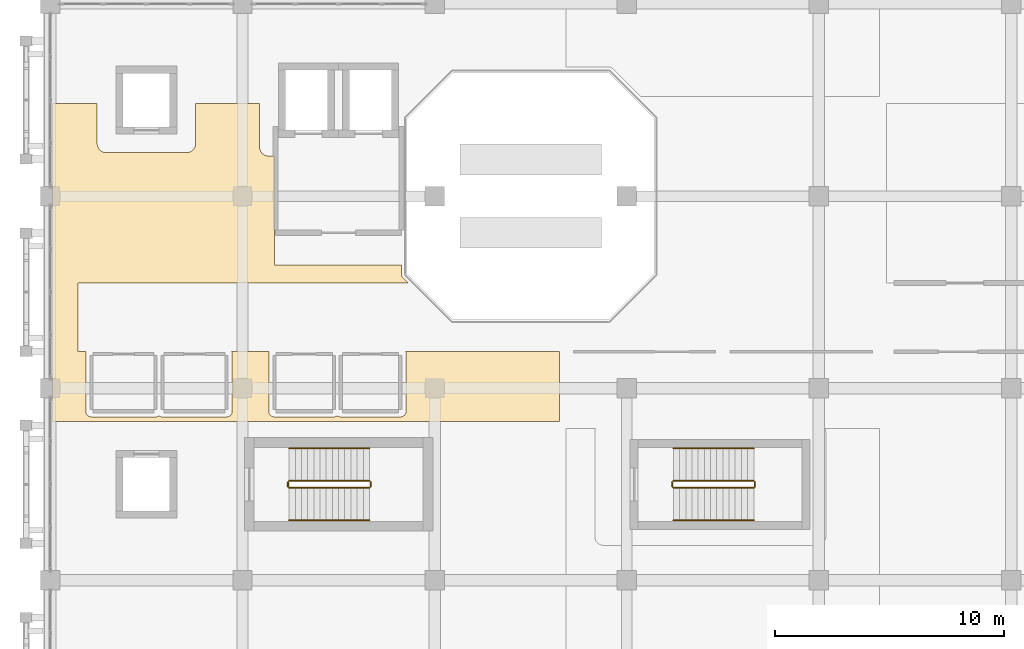
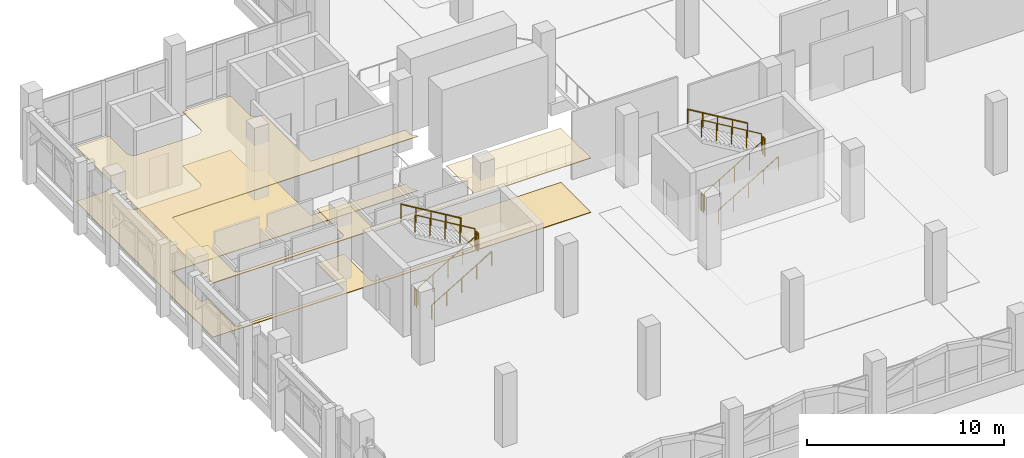
# One storey, part 121 of 129: 12 railings, 2 coverings.
"""IFC4 building model written with IfcOpenShell, lengths in metres."""

from ifc_helpers import new_model, si_unit, direction, frame, origin, origin_2d, place, context, subcontext, project, spatial, polyline, circle, outline, extrude, material, layer, layer_set, type_object, element, save


model = new_model("IFC4")

# Units and contexts
model_context = context("Model", 3, precision=1e-05, world=origin(), true_north=direction((0.0, 1.0)))
body_context = subcontext(model_context, "Body", "Model", "MODEL_VIEW")
ifc_project = project(units=[si_unit("LENGTHUNIT", "METRE"), si_unit("AREAUNIT", "SQUARE_METRE"), si_unit("VOLUMEUNIT", "CUBIC_METRE"), si_unit("PLANEANGLEUNIT", "RADIAN"), si_unit("MASSUNIT", "GRAM", prefix="KILO")], contexts=[model_context])

# Site, building, storey
site_placement = place(None, origin())
site = spatial("IfcSite", under=ifc_project, at=site_placement, CompositionType="ELEMENT")
building_placement = place(site_placement, origin())
building = spatial("IfcBuilding", under=site, at=building_placement, Name="Xazarin Passage Department Store", CompositionType="ELEMENT")
storey_placement = place(building_placement, frame((0.0, 0.0, 9.89990234375)))
storey = spatial("IfcBuildingStorey", under=building, at=storey_placement, Name="L02", CompositionType="ELEMENT", Elevation=9.89990234375)

# Coverings
ifc_material_1 = material(Name="Acoustic mineral ceiling")
ifc_layer_1 = layer(ifc_material_1, 0.0400390625)
ifc_layer_set_1 = layer_set([ifc_layer_1], Name="Acoustic mineral ceiling")
covering_type_1 = type_object("IfcCoveringType", Name="ARC-COV-CLG040", PredefinedType="CEILING", material=ifc_layer_set_1)
covering_1_placement = place(storey_placement, frame((0.0, 0.0, 3.360107421875)))
element("IfcCovering", 1, at=covering_1_placement, inside=storey, type_object=covering_type_1, Name="L02 Denim and Casualwear Hall Acoustic Ceiling", PredefinedType="CEILING", context=body_context, shape_type="SweptSolid", body=[
    extrude(outline(polyline([(6.35009765625, 97.25), (6.35009765625, 95.5), (6.34814453125, 95.460693359375), (6.34228515625, 95.422119140625), (6.332763671875, 95.3837890625), (6.319580078125, 95.346923828125), (6.302734375, 95.311279296875), (6.28271484375, 95.27783203125), (6.25927734375, 95.24609375), (6.23291015625, 95.21728515625), (6.203857421875, 95.19091796875), (6.172119140625, 95.16748046875), (6.138671875, 95.147216796875), (6.10302734375, 95.13037109375), (6.066162109375, 95.1171875), (6.028076171875, 95.107666015625), (5.9892578125, 95.101806640625), (5.949951171875, 95.10009765625), (2.449951171875, 95.10009765625), (2.410888671875, 95.101806640625), (2.3720703125, 95.107666015625), (2.333984375, 95.1171875), (2.296875, 95.13037109375), (2.261474609375, 95.147216796875), (2.227783203125, 95.16748046875), (2.1962890625, 95.19091796875), (2.167236328125, 95.21728515625), (2.140869140625, 95.24609375), (2.117431640625, 95.27783203125), (2.09716796875, 95.311279296875), (2.080322265625, 95.346923828125), (2.067138671875, 95.3837890625), (2.0576171875, 95.422119140625), (2.052001953125, 95.460693359375), (2.050048828125, 95.5), (2.050048828125, 97.25), (0.10009765625, 97.25), (0.10009765625, 83.35009765625), (22.25, 83.35009765625), (22.25, 86.39990234375), (15.52880859375, 86.39990234375), (15.531005859375, 86.395751953125), (15.539306640625, 86.37255859375), (15.545166015625, 86.348876953125), (15.548828125, 86.324462890625), (15.550048828125, 86.300048828125), (15.550048828125, 83.800048828125), (15.548828125, 83.775390625), (15.545166015625, 83.751220703125), (15.539306640625, 83.727294921875), (15.531005859375, 83.704345703125), (15.5205078125, 83.68212890625), (15.5078125, 83.6611328125), (15.493408203125, 83.641357421875), (15.476806640625, 83.623291015625), (15.45849609375, 83.606689453125), (15.43896484375, 83.592041015625), (15.417724609375, 83.57958984375), (15.395751953125, 83.569091796875), (15.37255859375, 83.560791015625), (15.348876953125, 83.5546875), (15.324462890625, 83.55126953125), (15.300048828125, 83.550048828125), (12.699951171875, 83.550048828125), (12.675537109375, 83.55126953125), (12.651123046875, 83.5546875), (12.62744140625, 83.560791015625), (12.604248046875, 83.569091796875), (12.582275390625, 83.57958984375), (12.56103515625, 83.592041015625), (12.550048828125, 83.600341796875), (12.538818359375, 83.592041015625), (12.517822265625, 83.57958984375), (12.49560546875, 83.569091796875), (12.47265625, 83.560791015625), (12.44873046875, 83.5546875), (12.424560546875, 83.55126953125), (12.39990234375, 83.550048828125), (9.800048828125, 83.550048828125), (9.775390625, 83.55126953125), (9.751220703125, 83.5546875), (9.727294921875, 83.560791015625), (9.704345703125, 83.569091796875), (9.68212890625, 83.57958984375), (9.6611328125, 83.592041015625), (9.641357421875, 83.606689453125), (9.623291015625, 83.623291015625), (9.606689453125, 83.641357421875), (9.592041015625, 83.6611328125), (9.57958984375, 83.68212890625), (9.569091796875, 83.704345703125), (9.560791015625, 83.727294921875), (9.5546875, 83.751220703125), (9.55126953125, 83.775390625), (9.550048828125, 83.800048828125), (9.550048828125, 86.300048828125), (9.55126953125, 86.324462890625), (9.5546875, 86.348876953125), (9.560791015625, 86.37255859375), (9.569091796875, 86.395751953125), (9.571044921875, 86.39990234375), (7.928955078125, 86.39990234375), (7.930908203125, 86.395751953125), (7.939208984375, 86.37255859375), (7.9453125, 86.348876953125), (7.94873046875, 86.324462890625), (7.949951171875, 86.300048828125), (7.949951171875, 83.800048828125), (7.94873046875, 83.775390625), (7.9453125, 83.751220703125), (7.939208984375, 83.727294921875), (7.930908203125, 83.704345703125), (7.92041015625, 83.68212890625), (7.907958984375, 83.6611328125), (7.893310546875, 83.641357421875), (7.876708984375, 83.623291015625), (7.858642578125, 83.606689453125), (7.8388671875, 83.592041015625), (7.81787109375, 83.57958984375), (7.795654296875, 83.569091796875), (7.772705078125, 83.560791015625), (7.748779296875, 83.5546875), (7.724609375, 83.55126953125), (7.699951171875, 83.550048828125), (4.89990234375, 83.550048828125), (4.87548828125, 83.55126953125), (4.851318359375, 83.5546875), (4.827392578125, 83.560791015625), (4.80419921875, 83.569091796875), (4.7822265625, 83.57958984375), (4.760986328125, 83.592041015625), (4.75, 83.600341796875), (4.739013671875, 83.592041015625), (4.7177734375, 83.57958984375), (4.69580078125, 83.569091796875), (4.672607421875, 83.560791015625), (4.648681640625, 83.5546875), (4.62451171875, 83.55126953125), (4.60009765625, 83.550048828125), (1.800048828125, 83.550048828125), (1.775390625, 83.55126953125), (1.751220703125, 83.5546875), (1.727294921875, 83.560791015625), (1.704345703125, 83.569091796875), (1.68212890625, 83.57958984375), (1.6611328125, 83.592041015625), (1.641357421875, 83.606689453125), (1.623291015625, 83.623291015625), (1.606689453125, 83.641357421875), (1.592041015625, 83.6611328125), (1.57958984375, 83.68212890625), (1.569091796875, 83.704345703125), (1.560791015625, 83.727294921875), (1.5546875, 83.751220703125), (1.55126953125, 83.775390625), (1.550048828125, 83.800048828125), (1.550048828125, 86.300048828125), (1.55126953125, 86.324462890625), (1.5546875, 86.348876953125), (1.560791015625, 86.37255859375), (1.569091796875, 86.395751953125), (1.571044921875, 86.39990234375), (1.199951171875, 86.39990234375), (1.199951171875, 89.39990234375), (15.646484375, 89.39990234375), (15.423095703125, 89.623291015625), (15.40673828125, 89.641357421875), (15.39208984375, 89.6611328125), (15.37939453125, 89.68212890625), (15.368896484375, 89.704345703125), (15.36083984375, 89.727294921875), (15.354736328125, 89.751220703125), (15.351318359375, 89.775390625), (15.35009765625, 89.800048828125), (15.35009765625, 90.199951171875), (9.800048828125, 90.199951171875), (9.800048828125, 94.949951171875), (9.550048828125, 94.949951171875), (9.5107421875, 94.951904296875), (9.471923828125, 94.957763671875), (9.433837890625, 94.96728515625), (9.39697265625, 94.98046875), (9.361328125, 94.997314453125), (9.327880859375, 95.017333984375), (9.296142578125, 95.040771484375), (9.26708984375, 95.067138671875), (9.24072265625, 95.09619140625), (9.21728515625, 95.127685546875), (9.197265625, 95.161376953125), (9.180419921875, 95.197021484375), (9.167236328125, 95.23388671875), (9.15771484375, 95.27197265625), (9.15185546875, 95.310791015625), (9.14990234375, 95.35009765625), (9.14990234375, 97.25), (6.35009765625, 97.25)])), origin(), (0.0, 0.0, 1.0), 0.0400390625),
])
ifc_material_2 = material(Name="Terrazzo stone flooring", Category="masonry")
ifc_layer_2 = layer(ifc_material_2, 0.034912109375)
ifc_layer_set_2 = layer_set([ifc_layer_2], Name="Terrazzo stone flooring")
covering_type_2 = type_object("IfcCoveringType", Name="ARC-COV-FLR035", PredefinedType="FLOORING", material=ifc_layer_set_2)
covering_2_placement = place(storey_placement, origin())
element("IfcCovering", 2, at=covering_2_placement, inside=storey, type_object=covering_type_2, Name="L02 Denim and Casualwear Hall Terrazzo Flooring", PredefinedType="FLOORING", context=body_context, shape_type="SweptSolid", body=[
    extrude(outline(polyline([(6.35009765625, 97.25), (6.35009765625, 95.5), (6.34814453125, 95.460693359375), (6.34228515625, 95.422119140625), (6.332763671875, 95.3837890625), (6.319580078125, 95.346923828125), (6.302734375, 95.311279296875), (6.28271484375, 95.27783203125), (6.25927734375, 95.24609375), (6.23291015625, 95.21728515625), (6.203857421875, 95.19091796875), (6.172119140625, 95.16748046875), (6.138671875, 95.147216796875), (6.10302734375, 95.13037109375), (6.066162109375, 95.1171875), (6.028076171875, 95.107666015625), (5.9892578125, 95.101806640625), (5.949951171875, 95.10009765625), (2.449951171875, 95.10009765625), (2.410888671875, 95.101806640625), (2.3720703125, 95.107666015625), (2.333984375, 95.1171875), (2.296875, 95.13037109375), (2.261474609375, 95.147216796875), (2.227783203125, 95.16748046875), (2.1962890625, 95.19091796875), (2.167236328125, 95.21728515625), (2.140869140625, 95.24609375), (2.117431640625, 95.27783203125), (2.09716796875, 95.311279296875), (2.080322265625, 95.346923828125), (2.067138671875, 95.3837890625), (2.0576171875, 95.422119140625), (2.052001953125, 95.460693359375), (2.050048828125, 95.5), (2.050048828125, 97.25), (0.10009765625, 97.25), (0.10009765625, 83.35009765625), (22.25, 83.35009765625), (22.25, 86.39990234375), (15.52880859375, 86.39990234375), (15.531005859375, 86.395751953125), (15.539306640625, 86.37255859375), (15.545166015625, 86.348876953125), (15.548828125, 86.324462890625), (15.550048828125, 86.300048828125), (15.550048828125, 83.800048828125), (15.548828125, 83.775390625), (15.545166015625, 83.751220703125), (15.539306640625, 83.727294921875), (15.531005859375, 83.704345703125), (15.5205078125, 83.68212890625), (15.5078125, 83.6611328125), (15.493408203125, 83.641357421875), (15.476806640625, 83.623291015625), (15.45849609375, 83.606689453125), (15.43896484375, 83.592041015625), (15.417724609375, 83.57958984375), (15.395751953125, 83.569091796875), (15.37255859375, 83.560791015625), (15.348876953125, 83.5546875), (15.324462890625, 83.55126953125), (15.300048828125, 83.550048828125), (12.699951171875, 83.550048828125), (12.675537109375, 83.55126953125), (12.651123046875, 83.5546875), (12.62744140625, 83.560791015625), (12.604248046875, 83.569091796875), (12.582275390625, 83.57958984375), (12.56103515625, 83.592041015625), (12.550048828125, 83.600341796875), (12.538818359375, 83.592041015625), (12.517822265625, 83.57958984375), (12.49560546875, 83.569091796875), (12.47265625, 83.560791015625), (12.44873046875, 83.5546875), (12.424560546875, 83.55126953125), (12.39990234375, 83.550048828125), (9.800048828125, 83.550048828125), (9.775390625, 83.55126953125), (9.751220703125, 83.5546875), (9.727294921875, 83.560791015625), (9.704345703125, 83.569091796875), (9.68212890625, 83.57958984375), (9.6611328125, 83.592041015625), (9.641357421875, 83.606689453125), (9.623291015625, 83.623291015625), (9.606689453125, 83.641357421875), (9.592041015625, 83.6611328125), (9.57958984375, 83.68212890625), (9.569091796875, 83.704345703125), (9.560791015625, 83.727294921875), (9.5546875, 83.751220703125), (9.55126953125, 83.775390625), (9.550048828125, 83.800048828125), (9.550048828125, 86.300048828125), (9.55126953125, 86.324462890625), (9.5546875, 86.348876953125), (9.560791015625, 86.37255859375), (9.569091796875, 86.395751953125), (9.571044921875, 86.39990234375), (7.928955078125, 86.39990234375), (7.930908203125, 86.395751953125), (7.939208984375, 86.37255859375), (7.9453125, 86.348876953125), (7.94873046875, 86.324462890625), (7.949951171875, 86.300048828125), (7.949951171875, 83.800048828125), (7.94873046875, 83.775390625), (7.9453125, 83.751220703125), (7.939208984375, 83.727294921875), (7.930908203125, 83.704345703125), (7.92041015625, 83.68212890625), (7.907958984375, 83.6611328125), (7.893310546875, 83.641357421875), (7.876708984375, 83.623291015625), (7.858642578125, 83.606689453125), (7.8388671875, 83.592041015625), (7.81787109375, 83.57958984375), (7.795654296875, 83.569091796875), (7.772705078125, 83.560791015625), (7.748779296875, 83.5546875), (7.724609375, 83.55126953125), (7.699951171875, 83.550048828125), (4.89990234375, 83.550048828125), (4.87548828125, 83.55126953125), (4.851318359375, 83.5546875), (4.827392578125, 83.560791015625), (4.80419921875, 83.569091796875), (4.7822265625, 83.57958984375), (4.760986328125, 83.592041015625), (4.75, 83.600341796875), (4.739013671875, 83.592041015625), (4.7177734375, 83.57958984375), (4.69580078125, 83.569091796875), (4.672607421875, 83.560791015625), (4.648681640625, 83.5546875), (4.62451171875, 83.55126953125), (4.60009765625, 83.550048828125), (1.800048828125, 83.550048828125), (1.775390625, 83.55126953125), (1.751220703125, 83.5546875), (1.727294921875, 83.560791015625), (1.704345703125, 83.569091796875), (1.68212890625, 83.57958984375), (1.6611328125, 83.592041015625), (1.641357421875, 83.606689453125), (1.623291015625, 83.623291015625), (1.606689453125, 83.641357421875), (1.592041015625, 83.6611328125), (1.57958984375, 83.68212890625), (1.569091796875, 83.704345703125), (1.560791015625, 83.727294921875), (1.5546875, 83.751220703125), (1.55126953125, 83.775390625), (1.550048828125, 83.800048828125), (1.550048828125, 86.300048828125), (1.55126953125, 86.324462890625), (1.5546875, 86.348876953125), (1.560791015625, 86.37255859375), (1.569091796875, 86.395751953125), (1.571044921875, 86.39990234375), (1.199951171875, 86.39990234375), (1.199951171875, 89.39990234375), (15.646484375, 89.39990234375), (15.423095703125, 89.623291015625), (15.40673828125, 89.641357421875), (15.39208984375, 89.6611328125), (15.37939453125, 89.68212890625), (15.368896484375, 89.704345703125), (15.36083984375, 89.727294921875), (15.354736328125, 89.751220703125), (15.351318359375, 89.775390625), (15.35009765625, 89.800048828125), (15.35009765625, 90.199951171875), (9.800048828125, 90.199951171875), (9.800048828125, 94.949951171875), (9.550048828125, 94.949951171875), (9.5107421875, 94.951904296875), (9.471923828125, 94.957763671875), (9.433837890625, 94.96728515625), (9.39697265625, 94.98046875), (9.361328125, 94.997314453125), (9.327880859375, 95.017333984375), (9.296142578125, 95.040771484375), (9.26708984375, 95.067138671875), (9.24072265625, 95.09619140625), (9.21728515625, 95.127685546875), (9.197265625, 95.161376953125), (9.180419921875, 95.197021484375), (9.167236328125, 95.23388671875), (9.15771484375, 95.27197265625), (9.15185546875, 95.310791015625), (9.14990234375, 95.35009765625), (9.14990234375, 97.25), (6.35009765625, 97.25)])), origin(), (0.0, 0.0, 1.0), 0.03515625),
])

# Railings
ifc_material_3 = material(Name="Steel S355", Category="steel")
railing_type_1 = type_object("IfcRailingType", Name="ARC-RL-GRD112", PredefinedType="GUARDRAIL", material=ifc_material_3)
railing_1_placement = place(storey_placement, frame((10.43994140625, 80.449951171875, 0.160888671875)))
element("IfcRailing", 3, at=railing_1_placement, inside=storey, type_object=railing_type_1, Name="L02 ST1 stair guard 1", PredefinedType="GUARDRAIL", context=body_context, shape_type="SweptSolid", body=[
    extrude(circle(Radius=0.02392578125, at=origin_2d()), frame((0.0, 0.0, 1.076171875), z_axis=(0.859312273368, 0.0, 0.511451284914), x_axis=(0.0, 1.0, 0.0)), (0.0, 0.0, 1.0), 4.084716796875),
    extrude(circle(Radius=0.02099609375, at=origin_2d()), origin(), (0.0, 0.0, 1.0), 1.0517578125),
    extrude(circle(Radius=0.02099609375, at=origin_2d()), frame((0.87744140625, 0.0, 0.522216796875)), (0.0, 0.0, 1.0), 1.0517578125),
    extrude(circle(Radius=0.02099609375, at=origin_2d()), frame((1.7548828125, 0.0, 1.04443359375)), (0.0, 0.0, 1.0), 1.0517578125),
    extrude(circle(Radius=0.02099609375, at=origin_2d()), frame((2.632568359375, 0.0, 1.56689453125)), (0.0, 0.0, 1.0), 1.0517578125),
    extrude(circle(Radius=0.02099609375, at=origin_2d()), frame((3.510009765625, 0.0, 2.089111328125)), (0.0, 0.0, 1.0), 1.0517578125),
])
railing_2_placement = place(storey_placement, frame((14.0, 80.5, 2.25)))
element("IfcRailing", 4, at=railing_2_placement, inside=storey, type_object=railing_type_1, Name="L02 ST1 stair guard 2", PredefinedType="GUARDRAIL", context=body_context, shape_type="SweptSolid", body=[
    extrude(circle(Radius=0.02392578125, at=origin_2d()), frame((0.0, 0.0, 1.076171875), z_axis=(0.0, 1.0, 0.0), x_axis=(-1.0, 0.0, 0.0)), (0.0, 0.0, 1.0), 0.199951171875),
    extrude(circle(Radius=0.02099609375, at=origin_2d()), origin(), (0.0, 0.0, 1.0), 1.0517578125),
    extrude(circle(Radius=0.02099609375, at=origin_2d()), frame((0.0, 0.199951171875, 0.0)), (0.0, 0.0, 1.0), 1.0517578125),
])
railing_3_placement = place(storey_placement, frame((13.949951171875, 80.75, 2.410888671875)))
element("IfcRailing", 5, at=railing_3_placement, inside=storey, type_object=railing_type_1, Name="L02 ST1 stair guard 3", PredefinedType="GUARDRAIL", context=body_context, shape_type="SweptSolid", body=[
    extrude(circle(Radius=0.02392578125, at=origin_2d()), frame((0.0, 0.0, 1.076171875), z_axis=(-0.859312273368, 0.0, 0.511451284914), x_axis=(0.0, -1.0, 0.0)), (0.0, 0.0, 1.0), 4.084716796875),
    extrude(circle(Radius=0.02099609375, at=origin_2d()), origin(), (0.0, 0.0, 1.0), 1.0517578125),
    extrude(circle(Radius=0.02099609375, at=origin_2d()), frame((-0.87744140625, 0.0, 0.522216796875)), (0.0, 0.0, 1.0), 1.0517578125),
    extrude(circle(Radius=0.02099609375, at=origin_2d()), frame((-1.7548828125, 0.0, 1.04443359375)), (0.0, 0.0, 1.0), 1.0517578125),
    extrude(circle(Radius=0.02099609375, at=origin_2d()), frame((-2.632568359375, 0.0, 1.56689453125)), (0.0, 0.0, 1.0), 1.0517578125),
    extrude(circle(Radius=0.02099609375, at=origin_2d()), frame((-3.510009765625, 0.0, 2.089111328125)), (0.0, 0.0, 1.0), 1.0517578125),
])
railing_4_placement = place(storey_placement, frame((10.389892578125, 80.5, 0.0)))
element("IfcRailing", 6, at=railing_4_placement, inside=storey, type_object=railing_type_1, Name="L02 ST1 stair guard 4", PredefinedType="GUARDRAIL", context=body_context, shape_type="SweptSolid", body=[
    extrude(circle(Radius=0.02392578125, at=origin_2d()), frame((0.0, 0.0, 1.076171875), z_axis=(0.0, 1.0, 0.0), x_axis=(-1.0, 0.0, 0.0)), (0.0, 0.0, 1.0), 0.199951171875),
    extrude(circle(Radius=0.02099609375, at=origin_2d()), origin(), (0.0, 0.0, 1.0), 1.0517578125),
    extrude(circle(Radius=0.02099609375, at=origin_2d()), frame((0.0, 0.199951171875, 0.0)), (0.0, 0.0, 1.0), 1.0517578125),
])
railing_5_placement = place(storey_placement, frame((27.239990234375, 80.449951171875, 0.160888671875)))
element("IfcRailing", 7, at=railing_5_placement, inside=storey, type_object=railing_type_1, Name="L02 ST3 stair guard 1", PredefinedType="GUARDRAIL", context=body_context, shape_type="SweptSolid", body=[
    extrude(circle(Radius=0.02392578125, at=origin_2d()), frame((0.0, 0.0, 1.076171875), z_axis=(0.859312273368, 0.0, 0.511451284914), x_axis=(0.0, 1.0, 0.0)), (0.0, 0.0, 1.0), 4.084716796875),
    extrude(circle(Radius=0.02099609375, at=origin_2d()), origin(), (0.0, 0.0, 1.0), 1.0517578125),
    extrude(circle(Radius=0.02099609375, at=origin_2d()), frame((0.87744140625, 0.0, 0.522216796875)), (0.0, 0.0, 1.0), 1.0517578125),
    extrude(circle(Radius=0.02099609375, at=origin_2d()), frame((1.7548828125, 0.0, 1.04443359375)), (0.0, 0.0, 1.0), 1.0517578125),
    extrude(circle(Radius=0.02099609375, at=origin_2d()), frame((2.632568359375, 0.0, 1.56689453125)), (0.0, 0.0, 1.0), 1.0517578125),
    extrude(circle(Radius=0.02099609375, at=origin_2d()), frame((3.510009765625, 0.0, 2.089111328125)), (0.0, 0.0, 1.0), 1.0517578125),
])
railing_6_placement = place(storey_placement, frame((30.800048828125, 80.5, 2.25)))
element("IfcRailing", 8, at=railing_6_placement, inside=storey, type_object=railing_type_1, Name="L02 ST3 stair guard 2", PredefinedType="GUARDRAIL", context=body_context, shape_type="SweptSolid", body=[
    extrude(circle(Radius=0.02392578125, at=origin_2d()), frame((0.0, 0.0, 1.076171875), z_axis=(0.0, 1.0, 0.0), x_axis=(-1.0, 0.0, 0.0)), (0.0, 0.0, 1.0), 0.199951171875),
    extrude(circle(Radius=0.02099609375, at=origin_2d()), origin(), (0.0, 0.0, 1.0), 1.0517578125),
    extrude(circle(Radius=0.02099609375, at=origin_2d()), frame((0.0, 0.199951171875, 0.0)), (0.0, 0.0, 1.0), 1.0517578125),
])
railing_7_placement = place(storey_placement, frame((30.75, 80.75, 2.410888671875)))
element("IfcRailing", 9, at=railing_7_placement, inside=storey, type_object=railing_type_1, Name="L02 ST3 stair guard 3", PredefinedType="GUARDRAIL", context=body_context, shape_type="SweptSolid", body=[
    extrude(circle(Radius=0.02392578125, at=origin_2d()), frame((0.0, 0.0, 1.076171875), z_axis=(-0.859312273368, 0.0, 0.511451284914), x_axis=(0.0, -1.0, 0.0)), (0.0, 0.0, 1.0), 4.084716796875),
    extrude(circle(Radius=0.02099609375, at=origin_2d()), origin(), (0.0, 0.0, 1.0), 1.0517578125),
    extrude(circle(Radius=0.02099609375, at=origin_2d()), frame((-0.87744140625, 0.0, 0.522216796875)), (0.0, 0.0, 1.0), 1.0517578125),
    extrude(circle(Radius=0.02099609375, at=origin_2d()), frame((-1.7548828125, 0.0, 1.04443359375)), (0.0, 0.0, 1.0), 1.0517578125),
    extrude(circle(Radius=0.02099609375, at=origin_2d()), frame((-2.632568359375, 0.0, 1.56689453125)), (0.0, 0.0, 1.0), 1.0517578125),
    extrude(circle(Radius=0.02099609375, at=origin_2d()), frame((-3.510009765625, 0.0, 2.089111328125)), (0.0, 0.0, 1.0), 1.0517578125),
])
railing_8_placement = place(storey_placement, frame((27.18994140625, 80.5, 0.0)))
element("IfcRailing", 10, at=railing_8_placement, inside=storey, type_object=railing_type_1, Name="L02 ST3 stair guard 4", PredefinedType="GUARDRAIL", context=body_context, shape_type="SweptSolid", body=[
    extrude(circle(Radius=0.02392578125, at=origin_2d()), frame((0.0, 0.0, 1.076171875), z_axis=(0.0, 1.0, 0.0), x_axis=(-1.0, 0.0, 0.0)), (0.0, 0.0, 1.0), 0.199951171875),
    extrude(circle(Radius=0.02099609375, at=origin_2d()), origin(), (0.0, 0.0, 1.0), 1.0517578125),
    extrude(circle(Radius=0.02099609375, at=origin_2d()), frame((0.0, 0.199951171875, 0.0)), (0.0, 0.0, 1.0), 1.0517578125),
])
railing_type_2 = type_object("IfcRailingType", Name="ARC-RL-HND090", PredefinedType="HANDRAIL", material=ifc_material_3)
railing_9_placement = place(storey_placement, frame((10.43994140625, 79.030029296875, 0.160888671875)))
element("IfcRailing", 11, at=railing_9_placement, inside=storey, type_object=railing_type_2, Name="L02 ST1 stair handrail 1", PredefinedType="HANDRAIL", context=body_context, shape_type="SweptSolid", body=[
    extrude(circle(Radius=0.02392578125, at=origin_2d()), frame((0.0, 0.0, 0.8759765625), z_axis=(0.859312273368, 0.0, 0.511451284914), x_axis=(0.0, 1.0, 0.0)), (0.0, 0.0, 1.0), 4.084716796875),
    extrude(circle(Radius=0.02099609375, at=origin_2d()), origin(), (0.0, 0.0, 1.0), 0.8515625),
    extrude(circle(Radius=0.02099609375, at=origin_2d()), frame((0.87744140625, 0.0, 0.522216796875)), (0.0, 0.0, 1.0), 0.8515625),
    extrude(circle(Radius=0.02099609375, at=origin_2d()), frame((1.7548828125, 0.0, 1.04443359375)), (0.0, 0.0, 1.0), 0.8515625),
    extrude(circle(Radius=0.02099609375, at=origin_2d()), frame((2.632568359375, 0.0, 1.56689453125)), (0.0, 0.0, 1.0), 0.8515625),
    extrude(circle(Radius=0.02099609375, at=origin_2d()), frame((3.510009765625, 0.0, 2.089111328125)), (0.0, 0.0, 1.0), 0.8515625),
])
railing_10_placement = place(storey_placement, frame((13.949951171875, 82.169921875, 2.410888671875)))
element("IfcRailing", 12, at=railing_10_placement, inside=storey, type_object=railing_type_2, Name="L02 ST1 stair handrail 2", PredefinedType="HANDRAIL", context=body_context, shape_type="SweptSolid", body=[
    extrude(circle(Radius=0.02392578125, at=origin_2d()), frame((0.0, 0.0, 0.8759765625), z_axis=(-0.859312273368, 0.0, 0.511451284914), x_axis=(0.0, -1.0, 0.0)), (0.0, 0.0, 1.0), 4.084716796875),
    extrude(circle(Radius=0.02099609375, at=origin_2d()), origin(), (0.0, 0.0, 1.0), 0.8515625),
    extrude(circle(Radius=0.02099609375, at=origin_2d()), frame((-0.87744140625, 0.0, 0.522216796875)), (0.0, 0.0, 1.0), 0.8515625),
    extrude(circle(Radius=0.02099609375, at=origin_2d()), frame((-1.7548828125, 0.0, 1.04443359375)), (0.0, 0.0, 1.0), 0.8515625),
    extrude(circle(Radius=0.02099609375, at=origin_2d()), frame((-2.632568359375, 0.0, 1.56689453125)), (0.0, 0.0, 1.0), 0.8515625),
    extrude(circle(Radius=0.02099609375, at=origin_2d()), frame((-3.510009765625, 0.0, 2.089111328125)), (0.0, 0.0, 1.0), 0.8515625),
])
railing_11_placement = place(storey_placement, frame((27.239990234375, 79.030029296875, 0.160888671875)))
element("IfcRailing", 13, at=railing_11_placement, inside=storey, type_object=railing_type_2, Name="L02 ST3 stair handrail 1", PredefinedType="HANDRAIL", context=body_context, shape_type="SweptSolid", body=[
    extrude(circle(Radius=0.02392578125, at=origin_2d()), frame((0.0, 0.0, 0.8759765625), z_axis=(0.859312273368, 0.0, 0.511451284914), x_axis=(0.0, 1.0, 0.0)), (0.0, 0.0, 1.0), 4.084716796875),
    extrude(circle(Radius=0.02099609375, at=origin_2d()), origin(), (0.0, 0.0, 1.0), 0.8515625),
    extrude(circle(Radius=0.02099609375, at=origin_2d()), frame((0.87744140625, 0.0, 0.522216796875)), (0.0, 0.0, 1.0), 0.8515625),
    extrude(circle(Radius=0.02099609375, at=origin_2d()), frame((1.7548828125, 0.0, 1.04443359375)), (0.0, 0.0, 1.0), 0.8515625),
    extrude(circle(Radius=0.02099609375, at=origin_2d()), frame((2.632568359375, 0.0, 1.56689453125)), (0.0, 0.0, 1.0), 0.8515625),
    extrude(circle(Radius=0.02099609375, at=origin_2d()), frame((3.510009765625, 0.0, 2.089111328125)), (0.0, 0.0, 1.0), 0.8515625),
])
railing_12_placement = place(storey_placement, frame((30.75, 82.169921875, 2.410888671875)))
element("IfcRailing", 14, at=railing_12_placement, inside=storey, type_object=railing_type_2, Name="L02 ST3 stair handrail 2", PredefinedType="HANDRAIL", context=body_context, shape_type="SweptSolid", body=[
    extrude(circle(Radius=0.02392578125, at=origin_2d()), frame((0.0, 0.0, 0.8759765625), z_axis=(-0.859312273368, 0.0, 0.511451284914), x_axis=(0.0, -1.0, 0.0)), (0.0, 0.0, 1.0), 4.084716796875),
    extrude(circle(Radius=0.02099609375, at=origin_2d()), origin(), (0.0, 0.0, 1.0), 0.8515625),
    extrude(circle(Radius=0.02099609375, at=origin_2d()), frame((-0.87744140625, 0.0, 0.522216796875)), (0.0, 0.0, 1.0), 0.8515625),
    extrude(circle(Radius=0.02099609375, at=origin_2d()), frame((-1.7548828125, 0.0, 1.04443359375)), (0.0, 0.0, 1.0), 0.8515625),
    extrude(circle(Radius=0.02099609375, at=origin_2d()), frame((-2.632568359375, 0.0, 1.56689453125)), (0.0, 0.0, 1.0), 0.8515625),
    extrude(circle(Radius=0.02099609375, at=origin_2d()), frame((-3.510009765625, 0.0, 2.089111328125)), (0.0, 0.0, 1.0), 0.8515625),
])

save(model, "model.ifc")
